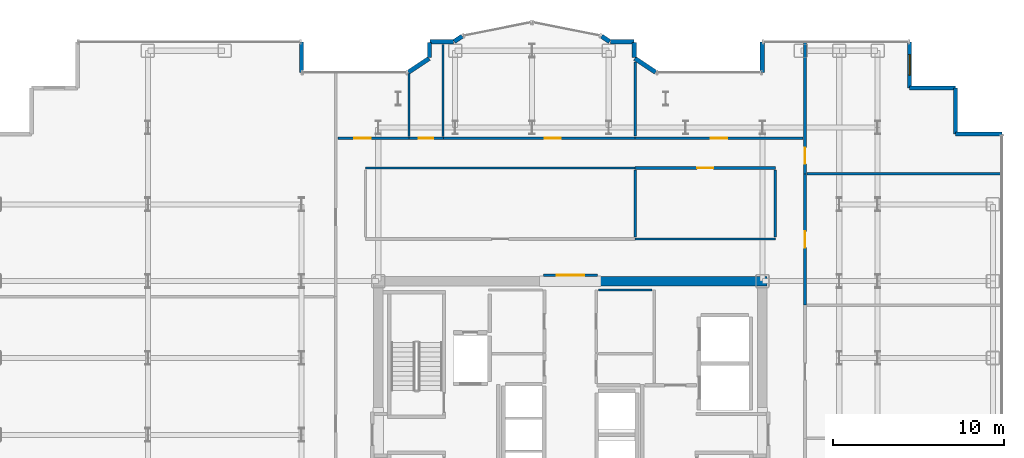
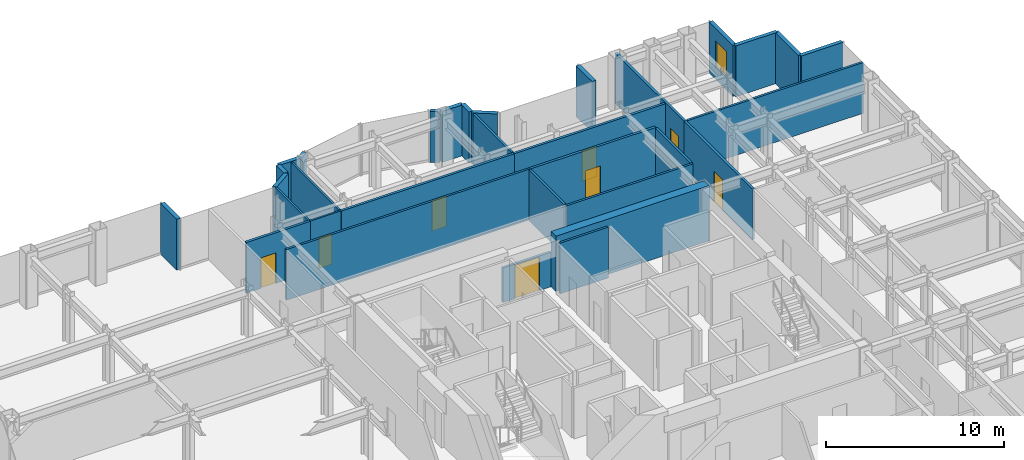
# One storey, part 21 of 23: 32 walls, 8 doors, 1 window, 9 openings.
"""IFC4 building model written with IfcOpenShell, lengths in metres."""

from ifc_helpers import new_model, si_unit, direction, frame, frame_2d, origin, place, context, subcontext, project, spatial, rectangle, extrude, source, transform, mapped, material, layer, layer_set, type_object, element, fill, save


model = new_model("IFC4")

# Units and contexts
model_context = context("Model", 3, precision=1e-05, world=origin(), true_north=direction((0.0, 1.0)))
body_context = subcontext(model_context, "Body", "Model", "MODEL_VIEW")
ifc_project = project(units=[si_unit("LENGTHUNIT", "METRE"), si_unit("AREAUNIT", "SQUARE_METRE"), si_unit("VOLUMEUNIT", "CUBIC_METRE"), si_unit("PLANEANGLEUNIT", "RADIAN"), si_unit("MASSUNIT", "GRAM", prefix="KILO")], contexts=[model_context])

# Site, building, storey
site_placement = place(None, origin())
site = spatial("IfcSite", under=ifc_project, at=site_placement, CompositionType="ELEMENT")
building_placement = place(site_placement, origin())
building = spatial("IfcBuilding", under=site, at=building_placement, Name="Nefas-Gora Pilgrimage Tower", CompositionType="ELEMENT")
storey_placement = place(building_placement, frame((0.0, 0.0, 198.199951171875)))
storey = spatial("IfcBuildingStorey", under=building, at=storey_placement, Name="L49", CompositionType="ELEMENT", Elevation=198.199951171875)

# Walls
ifc_material_1 = material(Name="Concrete C60/75", Category="concrete")
ifc_layer_1 = layer(ifc_material_1, 0.550048828125)
ifc_layer_set_1 = layer_set([ifc_layer_1], Name="Concrete C60/75")
wall_type_1 = type_object("IfcWallType", Name="SW-CORE-550", PredefinedType="SHEAR", material=ifc_layer_set_1)
shared_shape_1 = source(origin(), body_context, "Body", "SweptSolid", [
    extrude(rectangle(XDim=9.974853515625, YDim=0.550048828125, at=frame_2d((4.9873046875, 0.0))), origin(), (0.0, 0.0, 1.0), 3.800048828125),
])
wall_1_placement = place(storey_placement, frame((1.550048828125, 9.0, 0.0), z_axis=(0.0, 0.0, 1.0), x_axis=(1.0, 0.0, 0.0)))
element("IfcWall", 1, at=wall_1_placement, inside=storey, type_object=wall_type_1, Name="L49 Core Shear Wall N-East", PredefinedType="SHEAR", context=body_context, shape_type="MappedRepresentation", body=[
    mapped(shared_shape_1, transform((0.0, 0.0, 0.0), x_axis=(1.0, 0.0, 0.0), y_axis=(0.0, 1.0, 0.0), z_axis=(0.0, 0.0, 1.0), scale=1.0)),
])
ifc_material_2 = material(Name="Precast concrete C40/50", Category="concrete")
ifc_layer_2 = layer(ifc_material_2, 0.260009765625)
ifc_layer_set_2 = layer_set([ifc_layer_2], Name="Precast concrete C40/50")
wall_type_2 = type_object("IfcWallType", Name="EW-PORTAL-260", PredefinedType="SOLIDWALL", material=ifc_layer_set_2)
shared_shape_2 = source(origin(), body_context, "Body", "SweptSolid", [
    extrude(rectangle(XDim=1.800048828125, YDim=0.260009765625, at=frame_2d((0.89990234375, 0.0))), origin(), (0.0, 0.0, 1.0), 3.5),
])
for number, where, z_axis, x_axis, name in (
    (2, (11.25, 23.02001953125, 0.0), (0.0, 0.0, 1.0), (0.0, -1.0, 0.0), "L49 Lobe Shoulder Precast Spandrel Pier 10"),
    (3, (-15.75, 21.219970703125, 0.0), (0.0, 0.0, 1.0), (0.0, 1.0, 0.0), "L49 Lobe Shoulder Precast Spandrel Pier 19"),
):
    element("IfcWall", number, at=place(storey_placement, frame(where, z_axis=z_axis, x_axis=x_axis)), inside=storey, type_object=wall_type_2, Name=name, PredefinedType="SOLIDWALL", context=body_context, shape_type="MappedRepresentation", body=[
        mapped(shared_shape_2, transform((0.0, 0.0, 0.0), x_axis=(1.0, 0.0, 0.0), y_axis=(0.0, 1.0, 0.0), z_axis=(0.0, 0.0, 1.0), scale=1.0)),
    ])
ifc_material_3 = material(Name="Precast concrete C45/55", Category="concrete")
ifc_layer_3 = layer(ifc_material_3, 0.239990234375)
ifc_layer_set_3 = layer_set([ifc_layer_3], Name="Precast concrete C45/55")
wall_type_3 = type_object("IfcWallType", Name="EW-SERR-240", PredefinedType="SHEAR", material=ifc_layer_set_3)
shared_shape_3 = source(origin(), body_context, "Body", "SweptSolid", [
    extrude(rectangle(XDim=2.699951171875, YDim=0.239990234375, at=frame_2d((1.35009765625, 0.0))), origin(), (0.0, 0.0, 1.0), 3.5),
])
for number, where, z_axis, x_axis, name in (
    (4, (25.27001953125, 17.6201171875, 0.0), (0.0, 0.0, 1.0), (-1.0, 0.0, 0.0), "L49 Serrated Corner Shear Pier Wall 6"),
    (5, (22.570068359375, 17.6201171875, 0.0), (0.0, 0.0, 1.0), (0.0, 1.0, 0.0), "L49 Serrated Corner Shear Pier Wall 7"),
    (6, (22.570068359375, 20.320068359375, 0.0), (0.0, 0.0, 1.0), (-1.0, 0.0, 0.0), "L49 Serrated Corner Shear Pier Wall 8"),
):
    element("IfcWall", number, at=place(storey_placement, frame(where, z_axis=z_axis, x_axis=x_axis)), inside=storey, type_object=wall_type_3, Name=name, PredefinedType="SHEAR", context=body_context, shape_type="MappedRepresentation", body=[
        mapped(shared_shape_3, transform((0.0, 0.0, 0.0), x_axis=(1.0, 0.0, 0.0), y_axis=(0.0, 1.0, 0.0), z_axis=(0.0, 0.0, 1.0), scale=1.0)),
    ])

# Wall, opening, window
wall_2_placement = place(storey_placement, frame((19.8701171875, 20.320068359375, 0.0), z_axis=(0.0, 0.0, 1.0), x_axis=(0.0, 1.0, 0.0)))
wall_2 = element("IfcWall", 7, at=wall_2_placement, inside=storey, type_object=wall_type_3, Name="L49 Serrated Corner Shear Pier Wall 9", PredefinedType="SHEAR", context=body_context, shape_type="MappedRepresentation", body=[
    mapped(shared_shape_3, transform((0.0, 0.0, 0.0), x_axis=(1.0, 0.0, 0.0), y_axis=(0.0, 1.0, 0.0), z_axis=(0.0, 0.0, 1.0), scale=1.0)),
])
opening_1_placement = place(wall_2_placement, frame((0.75, 0.0, 0.85009765625)))
opening_1 = element("IfcOpeningElement", 8, at=opening_1_placement, cuts=wall_2, Name="Opening W-V1", PredefinedType="OPENING", context=body_context, shape_type="SweptSolid", body=[
    extrude(rectangle(XDim=1.199951171875, YDim=1.800048828125, at=frame_2d((0.60009765625, 0.89990234375))), frame((0.0, 0.1298828125, 0.0), z_axis=(0.0, -1.0, 0.0), x_axis=(1.0, 0.0, 0.0)), (0.0, 0.0, 1.0), 0.260009765625),
])
ifc_material_4 = material(Name="Dark ceramic-fritted operable aluminium-glass window", Category="aluminium")
window_type = type_object("IfcWindowType", Name="WIN-VENT-1200x1800", PartitioningType="SINGLE_PANEL", PredefinedType="WINDOW", material=ifc_material_4)
shared_shape_4 = source(origin(), body_context, "Body", "SweptSolid", [
    extrude(rectangle(XDim=1.199951171875, YDim=1.800048828125, at=frame_2d((0.60009765625, 0.89990234375))), frame((0.0, 0.030029296875, 0.0), z_axis=(0.0, -1.0, 0.0), x_axis=(1.0, 0.0, 0.0)), (0.0, 0.0, 1.0), 0.06005859375),
])
window_placement = place(opening_1_placement, origin())
window = element("IfcWindow", 9, at=window_placement, inside=storey, type_object=window_type, Name="L49 Operable Parallel-Outswing Window 9", OverallHeight=1.800048828125, OverallWidth=1.199951171875, PartitioningType="SINGLE_PANEL", PredefinedType="WINDOW", context=body_context, shape_type="MappedRepresentation", body=[
    mapped(shared_shape_4, transform((0.0, 0.0, 0.0), x_axis=(1.0, 0.0, 0.0), y_axis=(0.0, 1.0, 0.0), z_axis=(0.0, 0.0, 1.0), scale=1.0)),
])
fill(opening_1, window)

# Walls
shared_shape_5 = source(origin(), body_context, "Body", "SweptSolid", [
    extrude(rectangle(XDim=1.468994140625, YDim=0.260009765625, at=frame_2d((0.734375, 0.0))), origin(), (0.0, 0.0, 1.0), 3.5),
])
for number, where, z_axis, x_axis, name in (
    (10, (4.99462890625, 21.235595703125, 0.0), (0.0, 0.0, 1.0), (-0.831461760506, 0.555581983884, 0.0), "L49 Lobe Shoulder Precast Spandrel Pier 11"),
    (11, (-8.273193359375, 22.0517578125, 0.0), (0.0, 0.0, 1.0), (-0.831461760506, -0.555581983884, 0.0), "L49 Lobe Shoulder Precast Spandrel Pier 18"),
):
    element("IfcWall", number, at=place(storey_placement, frame(where, z_axis=z_axis, x_axis=x_axis)), inside=storey, type_object=wall_type_2, Name=name, PredefinedType="SOLIDWALL", context=body_context, shape_type="MappedRepresentation", body=[
        mapped(shared_shape_5, transform((0.0, 0.0, 0.0), x_axis=(1.0, 0.0, 0.0), y_axis=(0.0, 1.0, 0.0), z_axis=(0.0, 0.0, 1.0), scale=1.0)),
    ])
shared_shape_6 = source(origin(), body_context, "Body", "SweptSolid", [
    extrude(rectangle(XDim=0.896728515625, YDim=0.260009765625, at=frame_2d((0.4482421875, 0.0))), origin(), (0.0, 0.0, 1.0), 3.5),
])
for number, where, z_axis, x_axis, name in (
    (12, (3.75, 22.09521484375, 0.0), (0.0, 0.0, 1.0), (0.0, 1.0, 0.0), "L49 Lobe Shoulder Precast Spandrel Pier 12"),
    (13, (-8.25, 22.991943359375, 0.0), (0.0, 0.0, 1.0), (0.0, -1.0, 0.0), "L49 Lobe Shoulder Precast Spandrel Pier 17"),
):
    element("IfcWall", number, at=place(storey_placement, frame(where, z_axis=z_axis, x_axis=x_axis)), inside=storey, type_object=wall_type_2, Name=name, PredefinedType="SOLIDWALL", context=body_context, shape_type="MappedRepresentation", body=[
        mapped(shared_shape_6, transform((0.0, 0.0, 0.0), x_axis=(1.0, 0.0, 0.0), y_axis=(0.0, 1.0, 0.0), z_axis=(0.0, 0.0, 1.0), scale=1.0)),
    ])
shared_shape_7 = source(origin(), body_context, "Body", "SweptSolid", [
    extrude(rectangle(XDim=1.369873046875, YDim=0.260009765625, at=frame_2d((0.68505859375, 0.0))), origin(), (0.0, 0.0, 1.0), 3.5),
])
for number, where, z_axis, x_axis, name in (
    (14, (3.721923828125, 23.02001953125, 0.0), (0.0, 0.0, 1.0), (-1.0, 0.0, 0.0), "L49 Lobe Shoulder Precast Spandrel Pier 13"),
    (15, (-6.85205078125, 23.02001953125, 0.0), (0.0, 0.0, 1.0), (-1.0, 0.0, 0.0), "L49 Lobe Shoulder Precast Spandrel Pier 16"),
):
    element("IfcWall", number, at=place(storey_placement, frame(where, z_axis=z_axis, x_axis=x_axis)), inside=storey, type_object=wall_type_2, Name=name, PredefinedType="SOLIDWALL", context=body_context, shape_type="MappedRepresentation", body=[
        mapped(shared_shape_7, transform((0.0, 0.0, 0.0), x_axis=(1.0, 0.0, 0.0), y_axis=(0.0, 1.0, 0.0), z_axis=(0.0, 0.0, 1.0), scale=1.0)),
    ])
shared_shape_8 = source(origin(), body_context, "Body", "SweptSolid", [
    extrude(rectangle(XDim=0.5654296875, YDim=0.260009765625, at=frame_2d((0.28271484375, 0.0))), origin(), (0.0, 0.0, 1.0), 3.5),
])
for number, where, z_axis, x_axis, name in (
    (16, (2.30078125, 23.03564453125, 0.0), (0.0, 0.0, 1.0), (-0.831651492666, 0.555297933317, 0.0), "L49 Lobe Shoulder Precast Spandrel Pier 14"),
    (17, (-6.33056640625, 23.349609375, 0.0), (0.0, 0.0, 1.0), (-0.831651492666, -0.555297933317, 0.0), "L49 Lobe Shoulder Precast Spandrel Pier 15"),
):
    element("IfcWall", number, at=place(storey_placement, frame(where, z_axis=z_axis, x_axis=x_axis)), inside=storey, type_object=wall_type_2, Name=name, PredefinedType="SOLIDWALL", context=body_context, shape_type="MappedRepresentation", body=[
        mapped(shared_shape_8, transform((0.0, 0.0, 0.0), x_axis=(1.0, 0.0, 0.0), y_axis=(0.0, 1.0, 0.0), z_axis=(0.0, 0.0, 1.0), scale=1.0)),
    ])

# Wall, opening, door
ifc_material_5 = material(Name="Moisture-resistant fire-rated gypsum partition")
ifc_layer_4 = layer(ifc_material_5, 0.1201171875)
ifc_layer_set_4 = layer_set([ifc_layer_4], Name="Moisture-resistant fire-rated gypsum partition")
wall_type_4 = type_object("IfcWallType", Name="IW-WET-120", PredefinedType="PLUMBINGWALL", material=ifc_layer_set_4)
shared_shape_9 = source(origin(), body_context, "Body", "SweptSolid", [
    extrude(rectangle(XDim=2.02001953125, YDim=0.1201171875, at=frame_2d((1.010009765625, 0.0))), origin(), (0.0, 0.0, 1.0), 3.485107421875),
])
wall_3_placement = place(storey_placement, frame((-9.4599609375, 17.3701171875, 0.0), z_axis=(0.0, 0.0, 1.0), x_axis=(1.0, 0.0, 0.0)))
wall_3 = element("IfcWall", 18, at=wall_3_placement, inside=storey, type_object=wall_type_4, Name="L49 Accessible Unisex WC Partition Wall 29", PredefinedType="PLUMBINGWALL", context=body_context, shape_type="MappedRepresentation", body=[
    mapped(shared_shape_9, transform((0.0, 0.0, 0.0), x_axis=(1.0, 0.0, 0.0), y_axis=(0.0, 1.0, 0.0), z_axis=(0.0, 0.0, 1.0), scale=1.0)),
])
opening_2_placement = place(wall_3_placement, frame((0.5849609375, 0.0, 0.0)))
opening_2 = element("IfcOpeningElement", 19, at=opening_2_placement, cuts=wall_3, Name="Opening ID-BT1", PredefinedType="OPENING", context=body_context, shape_type="SweptSolid", body=[
    extrude(rectangle(XDim=0.85009765625, YDim=2.10009765625, at=frame_2d((0.425048828125, 1.050048828125))), frame((0.0, 0.070068359375, 0.0), z_axis=(0.0, -1.0, 0.0), x_axis=(1.0, 0.0, 0.0)), (0.0, 0.0, 1.0), 0.14013671875),
])
ifc_material_6 = material(Name="Moisture-resistant fire-rated timber door", Category="wood")
door_type_1 = type_object("IfcDoorType", Name="DR-INT-BATH-850", OperationType="NOTDEFINED", PredefinedType="DOOR", material=ifc_material_6)
shared_shape_10 = source(origin(), body_context, "Body", "SweptSolid", [
    extrude(rectangle(XDim=0.85009765625, YDim=2.10009765625, at=frame_2d((0.425048828125, 1.050048828125))), frame((0.0, 0.02490234375, 0.0), z_axis=(0.0, -1.0, 0.0), x_axis=(1.0, 0.0, 0.0)), (0.0, 0.0, 1.0), 0.050048828125),
])
door_1_placement = place(opening_2_placement, origin())
door_1 = element("IfcDoor", 20, at=door_1_placement, inside=storey, type_object=door_type_1, Name="L49 Accessible Unisex WC Door 12", OperationType="SINGLE_SWING_LEFT", OverallHeight=2.10009765625, OverallWidth=0.85009765625, PredefinedType="DOOR", context=body_context, shape_type="MappedRepresentation", body=[
    mapped(shared_shape_10, transform((0.0, 0.0, 0.0), x_axis=(1.0, 0.0, 0.0), y_axis=(0.0, 1.0, 0.0), z_axis=(0.0, 0.0, 1.0), scale=1.0)),
])
fill(opening_2, door_1)

ifc_material_7 = material(Name="Gypsum acoustic stud partition")
ifc_layer_5 = layer(ifc_material_7, 0.159912109375)
ifc_layer_set_5 = layer_set([ifc_layer_5], Name="Gypsum acoustic stud partition")
wall_type_5 = type_object("IfcWallType", Name="IW-CORR-160", PredefinedType="PARTITIONING", material=ifc_layer_set_5)
shared_shape_11 = source(origin(), body_context, "Body", "SweptSolid", [
    extrude(rectangle(XDim=3.16015625, YDim=0.159912109375, at=frame_2d((1.580078125, 0.0))), origin(), (0.0, 0.0, 1.0), 2.375),
])
wall_4_placement = place(storey_placement, frame((-1.580078125, 9.35009765625, 0.0), z_axis=(0.0, 0.0, 1.0), x_axis=(1.0, 0.0, 0.0)))
wall_4 = element("IfcWall", 21, at=wall_4_placement, inside=storey, type_object=wall_type_5, Name="L49 Central Lift Lobby North Portal Wall 15", PredefinedType="PARTITIONING", context=body_context, shape_type="MappedRepresentation", body=[
    mapped(shared_shape_11, transform((0.0, 0.0, 0.0), x_axis=(1.0, 0.0, 0.0), y_axis=(0.0, 1.0, 0.0), z_axis=(0.0, 0.0, 1.0), scale=1.0)),
])
opening_3_placement = place(wall_4_placement, frame((0.780029296875, 0.0, 0.0)))
opening_3 = element("IfcOpeningElement", 22, at=opening_3_placement, cuts=wall_4, Name="Opening ID-HL1", PredefinedType="OPENING", context=body_context, shape_type="SweptSolid", body=[
    extrude(rectangle(XDim=1.60009765625, YDim=2.300048828125, at=frame_2d((0.800048828125, 1.14990234375))), frame((0.0, 0.08984375, 0.0), z_axis=(0.0, -1.0, 0.0), x_axis=(1.0, 0.0, 0.0)), (0.0, 0.0, 1.0), 0.179931640625),
])
ifc_material_8 = material(Name="Double acoustic timber assembly hall door", Category="wood")
door_type_2 = type_object("IfcDoorType", Name="DR-INT-HALL-1600", OperationType="DOUBLE_DOOR_SINGLE_SWING", PredefinedType="DOOR", material=ifc_material_8)
shared_shape_12 = source(origin(), body_context, "Body", "SweptSolid", [
    extrude(rectangle(XDim=1.60009765625, YDim=2.300048828125, at=frame_2d((0.800048828125, 1.14990234375))), frame((0.0, 0.02490234375, 0.0), z_axis=(0.0, -1.0, 0.0), x_axis=(1.0, 0.0, 0.0)), (0.0, 0.0, 1.0), 0.050048828125),
])
door_2_placement = place(opening_3_placement, origin())
door_2 = element("IfcDoor", 23, at=door_2_placement, inside=storey, type_object=door_type_2, Name="L49 Central Lift Lobby North Portal Door 5", OperationType="DOUBLE_DOOR_SINGLE_SWING", OverallHeight=2.300048828125, OverallWidth=1.60009765625, PredefinedType="DOOR", context=body_context, shape_type="MappedRepresentation", body=[
    mapped(shared_shape_12, transform((0.0, 0.0, 0.0), x_axis=(1.0, 0.0, 0.0), y_axis=(0.0, 1.0, 0.0), z_axis=(0.0, 0.0, 1.0), scale=1.0)),
])
fill(opening_3, door_2)

# Walls
ifc_material_9 = material(Name="Gypsum twin-stud partition")
ifc_layer_6 = layer(ifc_material_9, 0.139892578125)
ifc_layer_set_6 = layer_set([ifc_layer_6], Name="Gypsum twin-stud partition")
wall_type_6 = type_object("IfcWallType", Name="IW-UNIT-140", PredefinedType="PARTITIONING", material=ifc_layer_set_6)
shared_shape_13 = source(origin(), body_context, "Body", "SweptSolid", [
    extrude(rectangle(XDim=3.150146484375, YDim=0.139892578125, at=frame_2d((1.5751953125, 0.0))), origin(), (0.0, 0.0, 1.0), 3.485107421875),
])
wall_5_placement = place(storey_placement, frame((1.639892578125, 8.47998046875, 0.0), z_axis=(0.0, 0.0, 1.0), x_axis=(1.0, 0.0, 0.0)))
element("IfcWall", 24, at=wall_5_placement, inside=storey, type_object=wall_type_6, Name="L49 Amenity Supply Store Partition Wall 25", PredefinedType="PARTITIONING", context=body_context, shape_type="MappedRepresentation", body=[
    mapped(shared_shape_13, transform((0.0, 0.0, 0.0), x_axis=(1.0, 0.0, 0.0), y_axis=(0.0, 1.0, 0.0), z_axis=(0.0, 0.0, 1.0), scale=1.0)),
])
shared_shape_14 = source(origin(), body_context, "Body", "SweptSolid", [
    extrude(rectangle(XDim=5.380126953125, YDim=0.1201171875, at=frame_2d((2.68994140625, 0.0))), origin(), (0.0, 0.0, 1.0), 3.485107421875),
])
wall_6_placement = place(storey_placement, frame((-7.449951171875, 17.469970703125, 0.0), z_axis=(0.0, 0.0, 1.0), x_axis=(0.0, 1.0, 0.0)))
element("IfcWall", 25, at=wall_6_placement, inside=storey, type_object=wall_type_4, Name="L49 Accessible Unisex WC Partition Wall 30", PredefinedType="PLUMBINGWALL", context=body_context, shape_type="MappedRepresentation", body=[
    mapped(shared_shape_14, transform((0.0, 0.0, 0.0), x_axis=(1.0, 0.0, 0.0), y_axis=(0.0, 1.0, 0.0), z_axis=(0.0, 0.0, 1.0), scale=1.0)),
])
shared_shape_15 = source(origin(), body_context, "Body", "SweptSolid", [
    extrude(rectangle(XDim=3.686767578125, YDim=0.1201171875, at=frame_2d((1.84326171875, 0.0))), origin(), (0.0, 0.0, 1.0), 3.485107421875),
])
wall_7_placement = place(storey_placement, frame((-9.449951171875, 17.469970703125, 0.0), z_axis=(0.0, 0.0, 1.0), x_axis=(0.0, 1.0, 0.0)))
element("IfcWall", 26, at=wall_7_placement, inside=storey, type_object=wall_type_4, Name="L49 Accessible Unisex WC Partition Wall 31", PredefinedType="PLUMBINGWALL", context=body_context, shape_type="MappedRepresentation", body=[
    mapped(shared_shape_15, transform((0.0, 0.0, 0.0), x_axis=(1.0, 0.0, 0.0), y_axis=(0.0, 1.0, 0.0), z_axis=(0.0, 0.0, 1.0), scale=1.0)),
])
shared_shape_16 = source(origin(), body_context, "Body", "SweptSolid", [
    extrude(rectangle(XDim=11.429931640625, YDim=0.139892578125, at=frame_2d((5.71484375, 0.0))), origin(), (0.0, 0.0, 1.0), 3.485107421875),
])
wall_8_placement = place(storey_placement, frame((13.860107421875, 15.297607421875, 0.0), z_axis=(0.0, 0.0, 1.0), x_axis=(1.0, 0.0, 0.0)))
element("IfcWall", 27, at=wall_8_placement, inside=storey, type_object=wall_type_6, Name="L49 Pilgrim Contemplative Lounge Partition Wall 46", PredefinedType="PARTITIONING", context=body_context, shape_type="MappedRepresentation", body=[
    mapped(shared_shape_16, transform((0.0, 0.0, 0.0), x_axis=(1.0, 0.0, 0.0), y_axis=(0.0, 1.0, 0.0), z_axis=(0.0, 0.0, 1.0), scale=1.0)),
])

# Wall, opening, door
shared_shape_17 = source(origin(), body_context, "Body", "SweptSolid", [
    extrude(rectangle(XDim=7.75244140625, YDim=0.159912109375, at=frame_2d((3.876220703125, 0.0))), origin(), (0.0, 0.0, 1.0), 3.485107421875),
])
wall_9_placement = place(storey_placement, frame((13.739990234375, 15.28759765625, 0.0), z_axis=(0.0, 0.0, 1.0), x_axis=(0.0, 1.0, 0.0)))
wall_9 = element("IfcWall", 28, at=wall_9_placement, inside=storey, type_object=wall_type_5, Name="L49 Pilgrim Contemplative Lounge Partition Wall 45", PredefinedType="PARTITIONING", context=body_context, shape_type="MappedRepresentation", body=[
    mapped(shared_shape_17, transform((0.0, 0.0, 0.0), x_axis=(1.0, 0.0, 0.0), y_axis=(0.0, 1.0, 0.0), z_axis=(0.0, 0.0, 1.0), scale=1.0)),
])
opening_4_placement = place(wall_9_placement, frame((0.586181640625, 0.0, 0.0)))
opening_4 = element("IfcOpeningElement", 29, at=opening_4_placement, cuts=wall_9, Name="Opening ID-GR1", PredefinedType="OPENING", context=body_context, shape_type="SweptSolid", body=[
    extrude(rectangle(XDim=0.949951171875, YDim=2.10009765625, at=frame_2d((0.47509765625, 1.050048828125))), frame((0.0, 0.08984375, 0.0), z_axis=(0.0, -1.0, 0.0), x_axis=(1.0, 0.0, 0.0)), (0.0, 0.0, 1.0), 0.179931640625),
])
ifc_material_10 = material(Name="Solid core oak fire-rated guest entrance door")
door_type_3 = type_object("IfcDoorType", Name="DR-INT-GUEST-950", OperationType="NOTDEFINED", PredefinedType="DOOR", material=ifc_material_10)
shared_shape_18 = source(origin(), body_context, "Body", "SweptSolid", [
    extrude(rectangle(XDim=0.949951171875, YDim=2.10009765625, at=frame_2d((0.47509765625, 1.050048828125))), frame((0.0, 0.02490234375, 0.0), z_axis=(0.0, -1.0, 0.0), x_axis=(1.0, 0.0, 0.0)), (0.0, 0.0, 1.0), 0.050048828125),
])
door_3_placement = place(opening_4_placement, origin())
door_3 = element("IfcDoor", 30, at=door_3_placement, inside=storey, type_object=door_type_3, Name="L49 Pilgrim Contemplative Lounge Door 20", OperationType="SINGLE_SWING_LEFT", OverallHeight=2.10009765625, OverallWidth=0.949951171875, PredefinedType="DOOR", context=body_context, shape_type="MappedRepresentation", body=[
    mapped(shared_shape_18, transform((0.0, 0.0, 0.0), x_axis=(1.0, 0.0, 0.0), y_axis=(0.0, 1.0, 0.0), z_axis=(0.0, 0.0, 1.0), scale=1.0)),
])
fill(opening_4, door_3)

shared_shape_19 = source(origin(), body_context, "Body", "SweptSolid", [
    extrude(rectangle(XDim=7.692626953125, YDim=0.159912109375, at=frame_2d((3.84619140625, 0.0))), origin(), (0.0, 0.0, 1.0), 3.485107421875),
])
wall_10_placement = place(storey_placement, frame((13.739990234375, 7.594970703125, 0.0), z_axis=(0.0, 0.0, 1.0), x_axis=(0.0, 1.0, 0.0)))
wall_10 = element("IfcWall", 31, at=wall_10_placement, inside=storey, type_object=wall_type_5, Name="L49 Pilgrim Contemplative Lounge Partition Wall 47", PredefinedType="PARTITIONING", context=body_context, shape_type="MappedRepresentation", body=[
    mapped(shared_shape_19, transform((0.0, 0.0, 0.0), x_axis=(1.0, 0.0, 0.0), y_axis=(0.0, 1.0, 0.0), z_axis=(0.0, 0.0, 1.0), scale=1.0)),
])
opening_5_placement = place(wall_10_placement, frame((3.37109375, 0.0, 0.0)))
opening_5 = element("IfcOpeningElement", 32, at=opening_5_placement, cuts=wall_10, Name="Opening ID-GR1", PredefinedType="OPENING", context=body_context, shape_type="SweptSolid", body=[
    extrude(rectangle(XDim=0.949951171875, YDim=2.10009765625, at=frame_2d((0.47509765625, 1.050048828125))), frame((0.0, 0.08984375, 0.0), z_axis=(0.0, -1.0, 0.0), x_axis=(1.0, 0.0, 0.0)), (0.0, 0.0, 1.0), 0.179931640625),
])
door_4_placement = place(opening_5_placement, origin())
door_4 = element("IfcDoor", 33, at=door_4_placement, inside=storey, type_object=door_type_3, Name="L49 Pilgrim Contemplative Lounge Door 21", OperationType="SINGLE_SWING_RIGHT", OverallHeight=2.10009765625, OverallWidth=0.949951171875, PredefinedType="DOOR", context=body_context, shape_type="MappedRepresentation", body=[
    mapped(shared_shape_18, transform((0.0, 0.0, 0.0), x_axis=(1.0, 0.0, 0.0), y_axis=(0.0, 1.0, 0.0), z_axis=(0.0, 0.0, 1.0), scale=1.0)),
])
fill(opening_5, door_4)

# Walls
shared_shape_20 = source(origin(), body_context, "Body", "SweptSolid", [
    extrude(rectangle(XDim=15.81494140625, YDim=0.139892578125, at=frame_2d((7.907470703125, 0.0))), origin(), (0.0, 0.0, 1.0), 3.485107421875),
])
wall_11_placement = place(storey_placement, frame((-12.010009765625, 15.6298828125, 0.0), z_axis=(0.0, 0.0, 1.0), x_axis=(1.0, 0.0, 0.0)))
element("IfcWall", 34, at=wall_11_placement, inside=storey, type_object=wall_type_6, Name="L49 Pilgrim Contemplative Lounge Partition Wall 49", PredefinedType="PARTITIONING", context=body_context, shape_type="MappedRepresentation", body=[
    mapped(shared_shape_20, transform((0.0, 0.0, 0.0), x_axis=(1.0, 0.0, 0.0), y_axis=(0.0, 1.0, 0.0), z_axis=(0.0, 0.0, 1.0), scale=1.0)),
])
shared_shape_21 = source(origin(), body_context, "Body", "SweptSolid", [
    extrude(rectangle(XDim=3.929931640625, YDim=0.139892578125, at=frame_2d((1.96484375, 0.0))), origin(), (0.0, 0.0, 1.0), 3.485107421875),
])
for number, where, z_axis, x_axis, name in (
    (35, (3.794921875, 11.590087890625, 0.0), (0.0, 0.0, 1.0), (0.0, 1.0, 0.0), "L49 Pilgrim Contemplative Lounge Partition Wall 51"),
    (36, (12.0, 11.580078125, 0.0), (0.0, 0.0, 1.0), (0.0, 1.0, 0.0), "L49 Pastoral Chaplains Counselling Office Partition Wall 58"),
):
    element("IfcWall", number, at=place(storey_placement, frame(where, z_axis=z_axis, x_axis=x_axis)), inside=storey, type_object=wall_type_6, Name=name, PredefinedType="PARTITIONING", context=body_context, shape_type="MappedRepresentation", body=[
        mapped(shared_shape_21, transform((0.0, 0.0, 0.0), x_axis=(1.0, 0.0, 0.0), y_axis=(0.0, 1.0, 0.0), z_axis=(0.0, 0.0, 1.0), scale=1.0)),
    ])

# Wall, opening, door
shared_shape_22 = source(origin(), body_context, "Body", "SweptSolid", [
    extrude(rectangle(XDim=11.244873046875, YDim=0.159912109375, at=frame_2d((5.62255859375, 0.0))), origin(), (0.0, 0.0, 1.0), 3.485107421875),
])
wall_12_placement = place(storey_placement, frame((-7.43994140625, 17.3701171875, 0.0), z_axis=(0.0, 0.0, 1.0), x_axis=(1.0, 0.0, 0.0)))
wall_12 = element("IfcWall", 37, at=wall_12_placement, inside=storey, type_object=wall_type_5, Name="L49 Pilgrim Contemplative Lounge Partition Wall 52", PredefinedType="PARTITIONING", context=body_context, shape_type="MappedRepresentation", body=[
    mapped(shared_shape_22, transform((0.0, 0.0, 0.0), x_axis=(1.0, 0.0, 0.0), y_axis=(0.0, 1.0, 0.0), z_axis=(0.0, 0.0, 1.0), scale=1.0)),
])
opening_6_placement = place(wall_12_placement, frame((5.92626953125, 0.0, 0.0)))
opening_6 = element("IfcOpeningElement", 38, at=opening_6_placement, cuts=wall_12, Name="Opening ID-GR1", PredefinedType="OPENING", context=body_context, shape_type="SweptSolid", body=[
    extrude(rectangle(XDim=0.949951171875, YDim=2.10009765625, at=frame_2d((0.47509765625, 1.050048828125))), frame((0.0, 0.08984375, 0.0), z_axis=(0.0, -1.0, 0.0), x_axis=(1.0, 0.0, 0.0)), (0.0, 0.0, 1.0), 0.179931640625),
])
door_5_placement = place(opening_6_placement, origin())
door_5 = element("IfcDoor", 39, at=door_5_placement, inside=storey, type_object=door_type_3, Name="L49 Pilgrim Contemplative Lounge Door 23", OperationType="SINGLE_SWING_RIGHT", OverallHeight=2.10009765625, OverallWidth=0.949951171875, PredefinedType="DOOR", context=body_context, shape_type="MappedRepresentation", body=[
    mapped(shared_shape_18, transform((0.0, 0.0, 0.0), x_axis=(1.0, 0.0, 0.0), y_axis=(0.0, 1.0, 0.0), z_axis=(0.0, 0.0, 1.0), scale=1.0)),
])
fill(opening_6, door_5)

# Wall
shared_shape_23 = source(origin(), body_context, "Body", "SweptSolid", [
    extrude(rectangle(XDim=4.34521484375, YDim=0.139892578125, at=frame_2d((2.172607421875, 0.0))), origin(), (0.0, 0.0, 1.0), 3.485107421875),
])
wall_13_placement = place(storey_placement, frame((3.794921875, 17.489990234375, 0.0), z_axis=(0.0, 0.0, 1.0), x_axis=(0.0, 1.0, 0.0)))
element("IfcWall", 40, at=wall_13_placement, inside=storey, type_object=wall_type_6, Name="L49 Pilgrim Contemplative Lounge Partition Wall 53", PredefinedType="PARTITIONING", context=body_context, shape_type="MappedRepresentation", body=[
    mapped(shared_shape_23, transform((0.0, 0.0, 0.0), x_axis=(1.0, 0.0, 0.0), y_axis=(0.0, 1.0, 0.0), z_axis=(0.0, 0.0, 1.0), scale=1.0)),
])

# Wall, opening, door
shared_shape_24 = source(origin(), body_context, "Body", "SweptSolid", [
    extrude(rectangle(XDim=4.16015625, YDim=0.159912109375, at=frame_2d((2.080078125, 0.0))), origin(), (0.0, 0.0, 1.0), 3.485107421875),
])
wall_14_placement = place(storey_placement, frame((-13.6201171875, 17.3701171875, 0.0), z_axis=(0.0, 0.0, 1.0), x_axis=(1.0, 0.0, 0.0)))
wall_14 = element("IfcWall", 41, at=wall_14_placement, inside=storey, type_object=wall_type_5, Name="L49 Pilgrim Contemplative Lounge Partition Wall 54", PredefinedType="PARTITIONING", context=body_context, shape_type="MappedRepresentation", body=[
    mapped(shared_shape_24, transform((0.0, 0.0, 0.0), x_axis=(1.0, 0.0, 0.0), y_axis=(0.0, 1.0, 0.0), z_axis=(0.0, 0.0, 1.0), scale=1.0)),
])
opening_7_placement = place(wall_14_placement, frame((0.968994140625, 0.0, 0.0)))
opening_7 = element("IfcOpeningElement", 42, at=opening_7_placement, cuts=wall_14, Name="Opening ID-GR1", PredefinedType="OPENING", context=body_context, shape_type="SweptSolid", body=[
    extrude(rectangle(XDim=0.949951171875, YDim=2.10009765625, at=frame_2d((0.47509765625, 1.050048828125))), frame((0.0, 0.08984375, 0.0), z_axis=(0.0, -1.0, 0.0), x_axis=(1.0, 0.0, 0.0)), (0.0, 0.0, 1.0), 0.179931640625),
])
door_6_placement = place(opening_7_placement, origin())
door_6 = element("IfcDoor", 43, at=door_6_placement, inside=storey, type_object=door_type_3, Name="L49 Pilgrim Contemplative Lounge Door 24", OperationType="SINGLE_SWING_LEFT", OverallHeight=2.10009765625, OverallWidth=0.949951171875, PredefinedType="DOOR", context=body_context, shape_type="MappedRepresentation", body=[
    mapped(shared_shape_18, transform((0.0, 0.0, 0.0), x_axis=(1.0, 0.0, 0.0), y_axis=(0.0, 1.0, 0.0), z_axis=(0.0, 0.0, 1.0), scale=1.0)),
])
fill(opening_7, door_6)

shared_shape_25 = source(origin(), body_context, "Body", "SweptSolid", [
    extrude(rectangle(XDim=9.8251953125, YDim=0.159912109375, at=frame_2d((4.91259765625, 0.0))), origin(), (0.0, 0.0, 1.0), 3.485107421875),
])
wall_15_placement = place(storey_placement, frame((3.794921875, 17.3701171875, 0.0), z_axis=(0.0, 0.0, 1.0), x_axis=(1.0, 0.0, 0.0)))
wall_15 = element("IfcWall", 44, at=wall_15_placement, inside=storey, type_object=wall_type_5, Name="L49 Pilgrim Contemplative Lounge Partition Wall 55", PredefinedType="PARTITIONING", context=body_context, shape_type="MappedRepresentation", body=[
    mapped(shared_shape_25, transform((0.0, 0.0, 0.0), x_axis=(1.0, 0.0, 0.0), y_axis=(0.0, 1.0, 0.0), z_axis=(0.0, 0.0, 1.0), scale=1.0)),
])
opening_8_placement = place(wall_15_placement, frame((4.4375, 0.0, 0.0)))
opening_8 = element("IfcOpeningElement", 45, at=opening_8_placement, cuts=wall_15, Name="Opening ID-GR1", PredefinedType="OPENING", context=body_context, shape_type="SweptSolid", body=[
    extrude(rectangle(XDim=0.949951171875, YDim=2.10009765625, at=frame_2d((0.47509765625, 1.050048828125))), frame((0.0, 0.08984375, 0.0), z_axis=(0.0, -1.0, 0.0), x_axis=(1.0, 0.0, 0.0)), (0.0, 0.0, 1.0), 0.179931640625),
])
door_7_placement = place(opening_8_placement, origin())
door_7 = element("IfcDoor", 46, at=door_7_placement, inside=storey, type_object=door_type_3, Name="L49 Pilgrim Contemplative Lounge Door 25", OperationType="SINGLE_SWING_RIGHT", OverallHeight=2.10009765625, OverallWidth=0.949951171875, PredefinedType="DOOR", context=body_context, shape_type="MappedRepresentation", body=[
    mapped(shared_shape_18, transform((0.0, 0.0, 0.0), x_axis=(1.0, 0.0, 0.0), y_axis=(0.0, 1.0, 0.0), z_axis=(0.0, 0.0, 1.0), scale=1.0)),
])
fill(opening_8, door_7)

shared_shape_26 = source(origin(), body_context, "Body", "SweptSolid", [
    extrude(rectangle(XDim=8.215087890625, YDim=0.159912109375, at=frame_2d((4.107421875, 0.0))), origin(), (0.0, 0.0, 1.0), 3.485107421875),
])
wall_16_placement = place(storey_placement, frame((3.794921875, 15.6298828125, 0.0), z_axis=(0.0, 0.0, 1.0), x_axis=(1.0, 0.0, 0.0)))
wall_16 = element("IfcWall", 47, at=wall_16_placement, inside=storey, type_object=wall_type_5, Name="L49 Pastoral Chaplains Counselling Office Partition Wall 56", PredefinedType="PARTITIONING", context=body_context, shape_type="MappedRepresentation", body=[
    mapped(shared_shape_26, transform((0.0, 0.0, 0.0), x_axis=(1.0, 0.0, 0.0), y_axis=(0.0, 1.0, 0.0), z_axis=(0.0, 0.0, 1.0), scale=1.0)),
])
opening_9_placement = place(wall_16_placement, frame((3.632568359375, 0.0, 0.0)))
opening_9 = element("IfcOpeningElement", 48, at=opening_9_placement, cuts=wall_16, Name="Opening ID-GR1", PredefinedType="OPENING", context=body_context, shape_type="SweptSolid", body=[
    extrude(rectangle(XDim=0.949951171875, YDim=2.10009765625, at=frame_2d((0.47509765625, 1.050048828125))), frame((0.0, 0.08984375, 0.0), z_axis=(0.0, -1.0, 0.0), x_axis=(1.0, 0.0, 0.0)), (0.0, 0.0, 1.0), 0.179931640625),
])
door_8_placement = place(opening_9_placement, origin())
door_8 = element("IfcDoor", 49, at=door_8_placement, inside=storey, type_object=door_type_3, Name="L49 Pastoral Chaplains Counselling Office Door 26", OperationType="SINGLE_SWING_LEFT", OverallHeight=2.10009765625, OverallWidth=0.949951171875, PredefinedType="DOOR", context=body_context, shape_type="MappedRepresentation", body=[
    mapped(shared_shape_18, transform((0.0, 0.0, 0.0), x_axis=(1.0, 0.0, 0.0), y_axis=(0.0, 1.0, 0.0), z_axis=(0.0, 0.0, 1.0), scale=1.0)),
])
fill(opening_9, door_8)

# Wall
shared_shape_27 = source(origin(), body_context, "Body", "SweptSolid", [
    extrude(rectangle(XDim=8.215087890625, YDim=0.139892578125, at=frame_2d((4.107421875, 0.0))), origin(), (0.0, 0.0, 1.0), 3.485107421875),
])
wall_17_placement = place(storey_placement, frame((3.794921875, 11.469970703125, 0.0), z_axis=(0.0, 0.0, 1.0), x_axis=(1.0, 0.0, 0.0)))
element("IfcWall", 50, at=wall_17_placement, inside=storey, type_object=wall_type_6, Name="L49 Pastoral Chaplains Counselling Office Partition Wall 57", PredefinedType="PARTITIONING", context=body_context, shape_type="MappedRepresentation", body=[
    mapped(shared_shape_27, transform((0.0, 0.0, 0.0), x_axis=(1.0, 0.0, 0.0), y_axis=(0.0, 1.0, 0.0), z_axis=(0.0, 0.0, 1.0), scale=1.0)),
])

save(model, "model.ifc")
